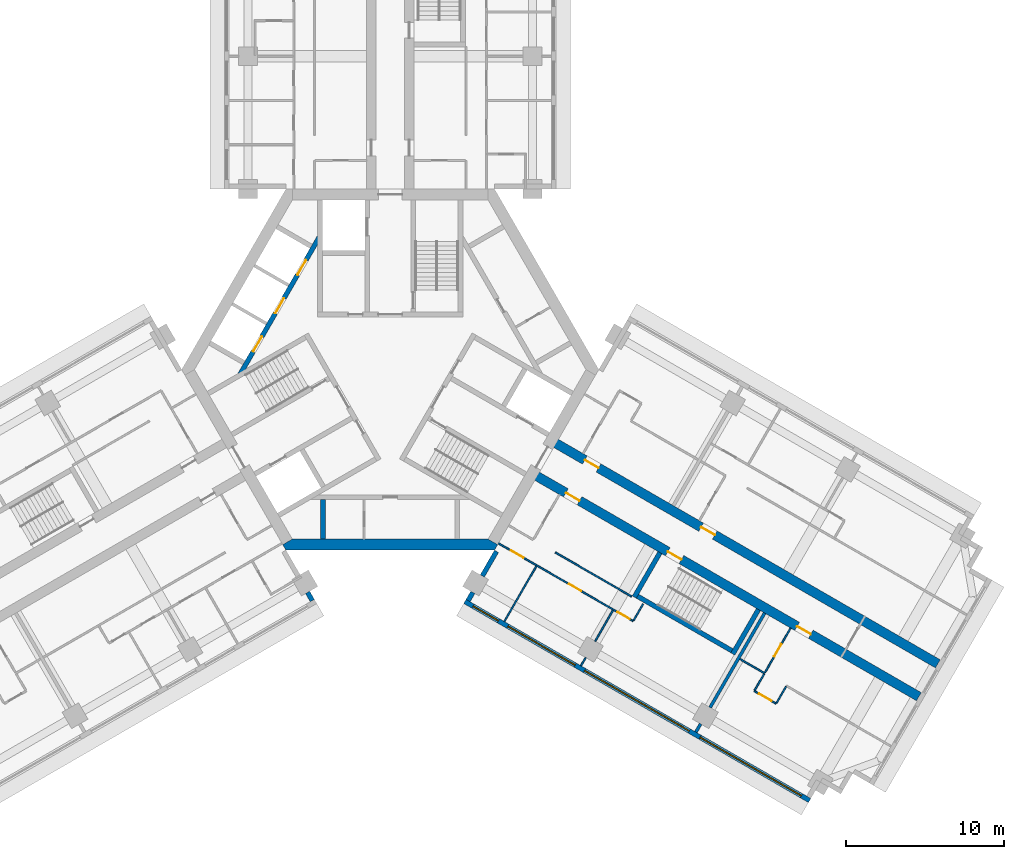
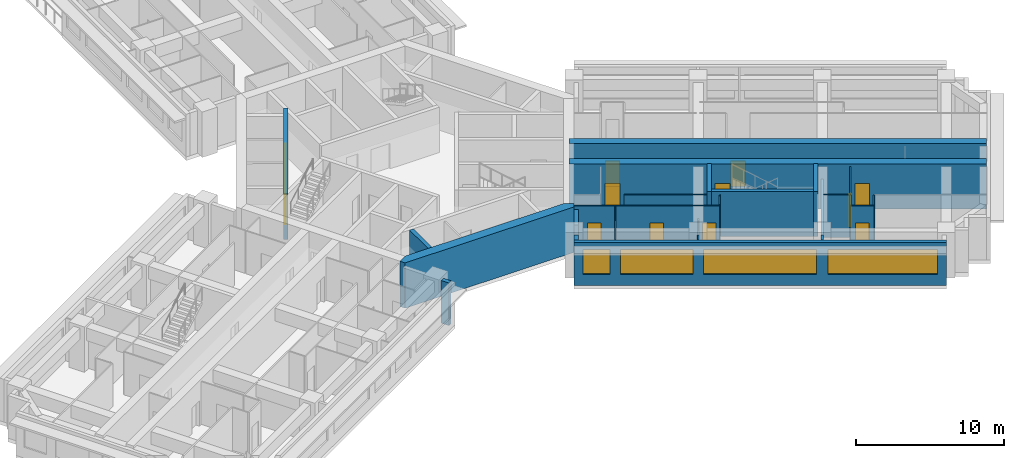
# One storey, part 5 of 12: 25 walls, 13 doors, 4 windows, 17 openings.
"""IFC4 building model written with IfcOpenShell, lengths in metres."""

from ifc_helpers import new_model, si_unit, direction, frame, frame_2d, origin, place, context, subcontext, project, spatial, polyline, rectangle, outline, extrude, material, layer, layer_set, type_object, element, fill, save


model = new_model("IFC4")

# Units and contexts
model_context = context("Model", 3, precision=1e-05, world=origin(), true_north=direction((0.0, 1.0)))
body_context = subcontext(model_context, "Body", "Model", "MODEL_VIEW")
ifc_project = project(units=[si_unit("LENGTHUNIT", "METRE"), si_unit("AREAUNIT", "SQUARE_METRE"), si_unit("VOLUMEUNIT", "CUBIC_METRE"), si_unit("PLANEANGLEUNIT", "RADIAN"), si_unit("MASSUNIT", "GRAM", prefix="KILO")], contexts=[model_context])

# Site, building, storey
site_placement = place(None, origin())
site = spatial("IfcSite", under=ifc_project, at=site_placement, CompositionType="ELEMENT")
building_placement = place(site_placement, origin())
building = spatial("IfcBuilding", under=site, at=building_placement, Name="Impinga Residences", CompositionType="ELEMENT")
storey_placement = place(building_placement, frame((0.0, 0.0, 188.5)))
storey = spatial("IfcBuildingStorey", under=building, at=storey_placement, Name="L46", CompositionType="ELEMENT", Elevation=188.5)

# Wall, openings, doors
ifc_material_1 = material(Name="Concrete C60/75", Category="concrete")
ifc_layer_1 = layer(ifc_material_1, 0.60009765625)
ifc_layer_set_1 = layer_set([ifc_layer_1], Name="Concrete C60/75")
wall_type_1 = type_object("IfcWallType", Name="BW3 corridor buttress wall, L46 to L73 600", PredefinedType="SHEAR", material=ifc_layer_set_1)
wall_1_placement = place(storey_placement, frame((10.19677734375, -4.50146484375, 0.0), z_axis=(0.0, 0.0, 1.0), x_axis=(0.866026415941, -0.499998246889, 0.0)))
wall_1 = element("IfcWall", 1, at=wall_1_placement, inside=storey, type_object=wall_type_1, Name="Corridor wall BW3 EC L46", PredefinedType="SHEAR", context=body_context, shape_type="SweptSolid", body=[
    extrude(rectangle(XDim=28.25, YDim=0.60009765625, at=frame_2d((14.125, 0.0))), origin(), (0.0, 0.0, 1.0), 3.75),
])
opening_1_placement = place(wall_1_placement, frame((2.449951171875, 0.0, 0.0)))
opening_1 = element("IfcOpeningElement", 2, at=opening_1_placement, cuts=wall_1, Name="Opening D1", PredefinedType="OPENING", context=body_context, shape_type="SweptSolid", body=[
    extrude(rectangle(XDim=1.0, YDim=2.10009765625, at=frame_2d((0.5, 1.050048828125))), frame((0.0, 0.31005859375, 0.0), z_axis=(0.0, -1.0, 0.0), x_axis=(1.0, 0.0, 0.0)), (0.0, 0.0, 1.0), 0.6201171875),
])
opening_2_placement = place(wall_1_placement, frame((10.949951171875, 0.0, 0.0)))
opening_2 = element("IfcOpeningElement", 3, at=opening_2_placement, cuts=wall_1, Name="Opening D1", PredefinedType="OPENING", context=body_context, shape_type="SweptSolid", body=[
    extrude(rectangle(XDim=1.0, YDim=2.10009765625, at=frame_2d((0.5, 1.050048828125))), frame((0.0, 0.31005859375, 0.0), z_axis=(0.0, -1.0, 0.0), x_axis=(1.0, 0.0, 0.0)), (0.0, 0.0, 1.0), 0.6201171875),
])
ifc_material_2 = material(Name="Timber door set", Category="wood")
door_type_1 = type_object("IfcDoorType", Name="D1 apartment entrance door 1000x2100", OperationType="SINGLE_SWING_LEFT", PredefinedType="DOOR", material=ifc_material_2)
door_1_placement = place(opening_1_placement, origin())
door_1 = element("IfcDoor", 4, at=door_1_placement, inside=storey, type_object=door_type_1, Name="Apartment L46-EA1 entrance", OperationType="SINGLE_SWING_LEFT", OverallHeight=2.10009765625, OverallWidth=1.0, PredefinedType="DOOR", context=body_context, shape_type="SweptSolid", body=[
    extrude(rectangle(XDim=1.0, YDim=2.10009765625, at=frame_2d((0.5, 1.050048828125))), frame((0.0, 0.02490234375, 0.0), z_axis=(0.0, -1.0, 0.0), x_axis=(1.0, 0.0, 0.0)), (0.0, 0.0, 1.0), 0.050048828125),
])
fill(opening_1, door_1)
door_2_placement = place(opening_2_placement, origin())
door_2 = element("IfcDoor", 5, at=door_2_placement, inside=storey, type_object=door_type_1, Name="Apartment L46-EA2 entrance", OperationType="SINGLE_SWING_LEFT", OverallHeight=2.10009765625, OverallWidth=1.0, PredefinedType="DOOR", context=body_context, shape_type="SweptSolid", body=[
    extrude(rectangle(XDim=1.0, YDim=2.10009765625, at=frame_2d((0.5, 1.050048828125))), frame((0.0, 0.02490234375, 0.0), z_axis=(0.0, -1.0, 0.0), x_axis=(1.0, 0.0, 0.0)), (0.0, 0.0, 1.0), 0.050048828125),
])
fill(opening_2, door_2)

wall_2_placement = place(storey_placement, frame((8.996826171875, -6.580078125, 0.0), z_axis=(0.0, 0.0, 1.0), x_axis=(0.866026415941, -0.499998246889, 0.0)))
wall_2 = element("IfcWall", 6, at=wall_2_placement, inside=storey, type_object=wall_type_1, Name="Corridor wall BW3 ED L46", PredefinedType="SHEAR", context=body_context, shape_type="SweptSolid", body=[
    extrude(rectangle(XDim=28.25, YDim=0.60009765625, at=frame_2d((14.125, 0.0))), origin(), (0.0, 0.0, 1.0), 3.75),
])
opening_3_placement = place(wall_2_placement, frame((9.89990234375, 0.0, 0.0)))
opening_3 = element("IfcOpeningElement", 7, at=opening_3_placement, cuts=wall_2, Name="Opening D5", PredefinedType="OPENING", context=body_context, shape_type="SweptSolid", body=[
    extrude(rectangle(XDim=1.0, YDim=2.10009765625, at=frame_2d((0.5, 1.050048828125))), frame((0.0, 0.31005859375, 0.0), z_axis=(0.0, -1.0, 0.0), x_axis=(1.0, 0.0, 0.0)), (0.0, 0.0, 1.0), 0.6201171875),
])
opening_4_placement = place(wall_2_placement, frame((2.449951171875, 0.0, 0.0)))
opening_4 = element("IfcOpeningElement", 8, at=opening_4_placement, cuts=wall_2, Name="Opening D1", PredefinedType="OPENING", context=body_context, shape_type="SweptSolid", body=[
    extrude(rectangle(XDim=1.0, YDim=2.10009765625, at=frame_2d((0.5, 1.050048828125))), frame((0.0, 0.31005859375, 0.0), z_axis=(0.0, -1.0, 0.0), x_axis=(1.0, 0.0, 0.0)), (0.0, 0.0, 1.0), 0.6201171875),
])
opening_5_placement = place(wall_2_placement, frame((19.35009765625, 0.0, 0.0)))
opening_5 = element("IfcOpeningElement", 9, at=opening_5_placement, cuts=wall_2, Name="Opening D1", PredefinedType="OPENING", context=body_context, shape_type="SweptSolid", body=[
    extrude(rectangle(XDim=1.0, YDim=2.10009765625, at=frame_2d((0.5, 1.050048828125))), frame((0.0, 0.31005859375, 0.0), z_axis=(0.0, -1.0, 0.0), x_axis=(1.0, 0.0, 0.0)), (0.0, 0.0, 1.0), 0.6201171875),
])
door_3_placement = place(opening_4_placement, origin())
door_3 = element("IfcDoor", 10, at=door_3_placement, inside=storey, type_object=door_type_1, Name="Apartment L46-EF1 entrance", OperationType="SINGLE_SWING_LEFT", OverallHeight=2.10009765625, OverallWidth=1.0, PredefinedType="DOOR", context=body_context, shape_type="SweptSolid", body=[
    extrude(rectangle(XDim=1.0, YDim=2.10009765625, at=frame_2d((0.5, 1.050048828125))), frame((0.0, 0.02490234375, 0.0), z_axis=(0.0, -1.0, 0.0), x_axis=(1.0, 0.0, 0.0)), (0.0, 0.0, 1.0), 0.050048828125),
])
fill(opening_4, door_3)
door_4_placement = place(opening_5_placement, origin())
door_4 = element("IfcDoor", 11, at=door_4_placement, inside=storey, type_object=door_type_1, Name="Apartment L46-EF2 entrance", OperationType="SINGLE_SWING_RIGHT", OverallHeight=2.10009765625, OverallWidth=1.0, PredefinedType="DOOR", context=body_context, shape_type="SweptSolid", body=[
    extrude(rectangle(XDim=1.0, YDim=2.10009765625, at=frame_2d((0.5, 1.050048828125))), frame((0.0, 0.02490234375, 0.0), z_axis=(0.0, -1.0, 0.0), x_axis=(1.0, 0.0, 0.0)), (0.0, 0.0, 1.0), 0.050048828125),
])
fill(opening_5, door_4)
door_type_2 = type_object("IfcDoorType", Name="D5 stair door 1000x2100", OperationType="SINGLE_SWING_LEFT", PredefinedType="DOOR", material=ifc_material_2)
door_5_placement = place(opening_3_placement, origin())
door_5 = element("IfcDoor", 12, at=door_5_placement, inside=storey, type_object=door_type_2, Name="Wing stair door E", OperationType="SINGLE_SWING_LEFT", OverallHeight=2.10009765625, OverallWidth=1.0, PredefinedType="DOOR", context=body_context, shape_type="SweptSolid", body=[
    extrude(rectangle(XDim=1.0, YDim=2.10009765625, at=frame_2d((0.5, 1.050048828125))), frame((0.0, 0.02490234375, 0.0), z_axis=(0.0, -1.0, 0.0), x_axis=(1.0, 0.0, 0.0)), (0.0, 0.0, 1.0), 0.050048828125),
])
fill(opening_3, door_5)

# Wall, openings, windows
ifc_material_3 = material(Name="Terracotta rainscreen on blockwork", Category="masonry")
ifc_layer_2 = layer(ifc_material_3, 0.300048828125)
ifc_layer_set_2 = layer_set([ifc_layer_2], Name="EW1 external wall, terracotta rainscreen on blockwork 300")
wall_type_2 = type_object("IfcWallType", Name="EW1 external wall, terracotta rainscreen on blockwork 300", PredefinedType="SOLIDWALL", material=ifc_layer_set_2)
wall_3_placement = place(storey_placement, frame((26.548828125, -27.279052734375, 0.0), z_axis=(0.0, 0.0, 1.0), x_axis=(-0.866026832479, 0.499997525421, 0.0)))
wall_3 = element("IfcWall", 13, at=wall_3_placement, inside=storey, type_object=wall_type_2, Name="External wall EW1 L46", PredefinedType="SOLIDWALL", context=body_context, shape_type="SweptSolid", body=[
    extrude(rectangle(XDim=25.199951171875, YDim=0.300048828125, at=frame_2d((12.60009765625, 0.0))), origin(), (0.0, 0.0, 1.0), 3.530029296875),
])
opening_6_placement = place(wall_3_placement, frame((0.60009765625, 0.0, 0.89990234375)))
opening_6 = element("IfcOpeningElement", 14, at=opening_6_placement, cuts=wall_3, Name="Opening W12", PredefinedType="OPENING", context=body_context, shape_type="SweptSolid", body=[
    extrude(rectangle(XDim=7.39990234375, YDim=2.050048828125, at=frame_2d((3.699951171875, 1.02490234375))), frame((0.0, 0.159912109375, 0.0), z_axis=(0.0, -1.0, 0.0), x_axis=(1.0, 0.0, 0.0)), (0.0, 0.0, 1.0), 0.320068359375),
])
opening_7_placement = place(wall_3_placement, frame((8.800048828125, 0.0, 0.89990234375)))
opening_7 = element("IfcOpeningElement", 15, at=opening_7_placement, cuts=wall_3, Name="Opening W13", PredefinedType="OPENING", context=body_context, shape_type="SweptSolid", body=[
    extrude(rectangle(XDim=7.64990234375, YDim=2.050048828125, at=frame_2d((3.824951171875, 1.02490234375))), frame((0.0, 0.159912109375, 0.0), z_axis=(0.0, -1.0, 0.0), x_axis=(1.0, 0.0, 0.0)), (0.0, 0.0, 1.0), 0.320068359375),
])
opening_8_placement = place(wall_3_placement, frame((17.14990234375, 0.0, 0.89990234375)))
opening_8 = element("IfcOpeningElement", 16, at=opening_8_placement, cuts=wall_3, Name="Opening W16", PredefinedType="OPENING", context=body_context, shape_type="SweptSolid", body=[
    extrude(rectangle(XDim=4.89990234375, YDim=2.050048828125, at=frame_2d((2.449951171875, 1.02490234375))), frame((0.0, 0.159912109375, 0.0), z_axis=(0.0, -1.0, 0.0), x_axis=(1.0, 0.0, 0.0)), (0.0, 0.0, 1.0), 0.320068359375),
])
opening_9_placement = place(wall_3_placement, frame((22.75, 0.0, 0.89990234375)))
opening_9 = element("IfcOpeningElement", 17, at=opening_9_placement, cuts=wall_3, Name="Opening W15", PredefinedType="OPENING", context=body_context, shape_type="SweptSolid", body=[
    extrude(rectangle(XDim=1.85009765625, YDim=2.050048828125, at=frame_2d((0.925048828125, 1.02490234375))), frame((0.0, 0.159912109375, 0.0), z_axis=(0.0, -1.0, 0.0), x_axis=(1.0, 0.0, 0.0)), (0.0, 0.0, 1.0), 0.320068359375),
])
ifc_material_4 = material(Name="Aluminium window, clear double glazing", Category="aluminium")
window_type_1 = type_object("IfcWindowType", Name="W12 ribbon window 7400x2050", PartitioningType="SINGLE_PANEL", PredefinedType="WINDOW", material=ifc_material_4)
window_1_placement = place(opening_6_placement, origin())
window_1 = element("IfcWindow", 18, at=window_1_placement, inside=storey, type_object=window_type_1, Name="Window L46", OverallHeight=2.050048828125, OverallWidth=7.39990234375, PartitioningType="SINGLE_PANEL", PredefinedType="WINDOW", context=body_context, shape_type="SweptSolid", body=[
    extrude(rectangle(XDim=7.39990234375, YDim=2.050048828125, at=frame_2d((3.699951171875, 1.02490234375))), frame((0.0, 0.030029296875, 0.0), z_axis=(0.0, -1.0, 0.0), x_axis=(1.0, 0.0, 0.0)), (0.0, 0.0, 1.0), 0.06005859375),
])
fill(opening_6, window_1)
window_type_2 = type_object("IfcWindowType", Name="W13 ribbon window 7650x2050", PartitioningType="SINGLE_PANEL", PredefinedType="WINDOW", material=ifc_material_4)
window_2_placement = place(opening_7_placement, origin())
window_2 = element("IfcWindow", 19, at=window_2_placement, inside=storey, type_object=window_type_2, Name="Window L46", OverallHeight=2.050048828125, OverallWidth=7.64990234375, PartitioningType="SINGLE_PANEL", PredefinedType="WINDOW", context=body_context, shape_type="SweptSolid", body=[
    extrude(rectangle(XDim=7.64990234375, YDim=2.050048828125, at=frame_2d((3.824951171875, 1.02490234375))), frame((0.0, 0.030029296875, 0.0), z_axis=(0.0, -1.0, 0.0), x_axis=(1.0, 0.0, 0.0)), (0.0, 0.0, 1.0), 0.06005859375),
])
fill(opening_7, window_2)
window_type_3 = type_object("IfcWindowType", Name="W15 ribbon window 1850x2050", PartitioningType="SINGLE_PANEL", PredefinedType="WINDOW", material=ifc_material_4)
window_3_placement = place(opening_9_placement, origin())
window_3 = element("IfcWindow", 20, at=window_3_placement, inside=storey, type_object=window_type_3, Name="Window L46", OverallHeight=2.050048828125, OverallWidth=1.85009765625, PartitioningType="SINGLE_PANEL", PredefinedType="WINDOW", context=body_context, shape_type="SweptSolid", body=[
    extrude(rectangle(XDim=1.85009765625, YDim=2.050048828125, at=frame_2d((0.925048828125, 1.02490234375))), frame((0.0, 0.030029296875, 0.0), z_axis=(0.0, -1.0, 0.0), x_axis=(1.0, 0.0, 0.0)), (0.0, 0.0, 1.0), 0.06005859375),
])
fill(opening_9, window_3)
window_type_4 = type_object("IfcWindowType", Name="W16 ribbon window 4900x2050", PartitioningType="SINGLE_PANEL", PredefinedType="WINDOW", material=ifc_material_4)
window_4_placement = place(opening_8_placement, origin())
window_4 = element("IfcWindow", 21, at=window_4_placement, inside=storey, type_object=window_type_4, Name="Window L46", OverallHeight=2.050048828125, OverallWidth=4.89990234375, PartitioningType="SINGLE_PANEL", PredefinedType="WINDOW", context=body_context, shape_type="SweptSolid", body=[
    extrude(rectangle(XDim=4.89990234375, YDim=2.050048828125, at=frame_2d((2.449951171875, 1.02490234375))), frame((0.0, 0.030029296875, 0.0), z_axis=(0.0, -1.0, 0.0), x_axis=(1.0, 0.0, 0.0)), (0.0, 0.0, 1.0), 0.06005859375),
])
fill(opening_8, window_4)

# Walls
wall_4_placement = place(storey_placement, frame((4.929931640625, -14.624267578125, 0.0), z_axis=(0.0, 0.0, 1.0), x_axis=(0.499945471869, 0.866056883327, 0.0)))
element("IfcWall", 22, at=wall_4_placement, inside=storey, type_object=wall_type_2, Name="External wall EW1 L46", PredefinedType="SOLIDWALL", context=body_context, shape_type="SweptSolid", body=[
    extrude(rectangle(XDim=0.60009765625, YDim=0.300048828125, at=frame_2d((0.300048828125, 0.0))), origin(), (0.0, 0.0, 1.0), 3.530029296875),
])
wall_5_placement = place(storey_placement, frame((5.829833984375, -13.0654296875, 0.0), z_axis=(0.0, 0.0, 1.0), x_axis=(0.500062916607, 0.865989075817, 0.0)))
element("IfcWall", 23, at=wall_5_placement, inside=storey, type_object=wall_type_2, Name="External wall EW1 L46", PredefinedType="SOLIDWALL", context=body_context, shape_type="SweptSolid", body=[
    extrude(rectangle(XDim=1.800048828125, YDim=0.300048828125, at=frame_2d((0.89990234375, 0.0))), origin(), (0.0, 0.0, 1.0), 3.530029296875),
])
wall_6_placement = place(storey_placement, frame((-5.22998046875, -14.1044921875, 0.0), z_axis=(0.0, 0.0, 1.0), x_axis=(0.499945471869, -0.866056883327, 0.0)))
element("IfcWall", 24, at=wall_6_placement, inside=storey, type_object=wall_type_2, Name="External wall EW1 L46", PredefinedType="SOLIDWALL", context=body_context, shape_type="SweptSolid", body=[
    extrude(rectangle(XDim=0.60009765625, YDim=0.300048828125, at=frame_2d((0.300048828125, 0.0))), origin(), (0.0, 0.0, 1.0), 3.530029296875),
])
ifc_material_5 = material(Name="Gypsum board on steel studs", Category="steel")
ifc_layer_3 = layer(ifc_material_5, 0.10009765625)
ifc_layer_set_3 = layer_set([ifc_layer_3], Name="Gypsum board on steel studs")
wall_type_3 = type_object("IfcWallType", Name="IP1 partition 100", PredefinedType="PARTITIONING", material=ifc_layer_set_3)
wall_7_placement = place(storey_placement, frame((10.444580078125, -11.57275390625, 0.0), z_axis=(0.0, 0.0, 1.0), x_axis=(0.866015695474, -0.500016814911, 0.0)))
element("IfcWall", 25, at=wall_7_placement, inside=storey, type_object=wall_type_3, Name="Partition L46-EF1:DIV1", PredefinedType="PARTITIONING", context=body_context, shape_type="SweptSolid", body=[
    extrude(rectangle(XDim=5.599853515625, YDim=0.10009765625, at=frame_2d((2.7998046875, 0.0))), origin(), (0.0, 0.0, 1.0), 3.530029296875),
])

# Wall, openings, doors
wall_8_placement = place(storey_placement, frame((6.85009765625, -10.99853515625, 0.0), z_axis=(0.0, 0.0, 1.0), x_axis=(0.866021308241, -0.500007093622, 0.0)))
wall_8 = element("IfcWall", 26, at=wall_8_placement, inside=storey, type_object=wall_type_3, Name="Partition L46-EF1:STRIP", PredefinedType="PARTITIONING", context=body_context, shape_type="SweptSolid", body=[
    extrude(rectangle(XDim=9.849853515625, YDim=0.10009765625, at=frame_2d((4.9248046875, 0.0))), origin(), (0.0, 0.0, 1.0), 3.530029296875),
])
opening_10_placement = place(wall_8_placement, frame((0.925048828125, 0.0, 0.0)))
opening_10 = element("IfcOpeningElement", 27, at=opening_10_placement, cuts=wall_8, Name="Opening D2", PredefinedType="OPENING", context=body_context, shape_type="SweptSolid", body=[
    extrude(rectangle(XDim=0.89990234375, YDim=2.10009765625, at=frame_2d((0.449951171875, 1.050048828125))), frame((0.0, 0.06005859375, 0.0), z_axis=(0.0, -1.0, 0.0), x_axis=(1.0, 0.0, 0.0)), (0.0, 0.0, 1.0), 0.1201171875),
])
opening_11_placement = place(wall_8_placement, frame((5.14990234375, 0.0, 0.0)))
opening_11 = element("IfcOpeningElement", 28, at=opening_11_placement, cuts=wall_8, Name="Opening D2", PredefinedType="OPENING", context=body_context, shape_type="SweptSolid", body=[
    extrude(rectangle(XDim=0.89990234375, YDim=2.10009765625, at=frame_2d((0.449951171875, 1.050048828125))), frame((0.0, 0.06005859375, 0.0), z_axis=(0.0, -1.0, 0.0), x_axis=(1.0, 0.0, 0.0)), (0.0, 0.0, 1.0), 0.1201171875),
])
opening_12_placement = place(wall_8_placement, frame((8.699951171875, 0.0, 0.0)))
opening_12 = element("IfcOpeningElement", 29, at=opening_12_placement, cuts=wall_8, Name="Opening D2", PredefinedType="OPENING", context=body_context, shape_type="SweptSolid", body=[
    extrude(rectangle(XDim=0.89990234375, YDim=2.10009765625, at=frame_2d((0.449951171875, 1.050048828125))), frame((0.0, 0.06005859375, 0.0), z_axis=(0.0, -1.0, 0.0), x_axis=(1.0, 0.0, 0.0)), (0.0, 0.0, 1.0), 0.1201171875),
])
door_type_3 = type_object("IfcDoorType", Name="D2 internal door 900x2100", OperationType="SINGLE_SWING_LEFT", PredefinedType="DOOR", material=ifc_material_2)
door_6_placement = place(opening_10_placement, origin())
door_6 = element("IfcDoor", 30, at=door_6_placement, inside=storey, type_object=door_type_3, Name="Apartment L46-EF1 room door", OperationType="SINGLE_SWING_LEFT", OverallHeight=2.10009765625, OverallWidth=0.89990234375, PredefinedType="DOOR", context=body_context, shape_type="SweptSolid", body=[
    extrude(rectangle(XDim=0.89990234375, YDim=2.10009765625, at=frame_2d((0.449951171875, 1.050048828125))), frame((0.0, 0.02490234375, 0.0), z_axis=(0.0, -1.0, 0.0), x_axis=(1.0, 0.0, 0.0)), (0.0, 0.0, 1.0), 0.050048828125),
])
fill(opening_10, door_6)
door_7_placement = place(opening_11_placement, origin())
door_7 = element("IfcDoor", 31, at=door_7_placement, inside=storey, type_object=door_type_3, Name="Apartment L46-EF1 room door", OperationType="SINGLE_SWING_RIGHT", OverallHeight=2.10009765625, OverallWidth=0.89990234375, PredefinedType="DOOR", context=body_context, shape_type="SweptSolid", body=[
    extrude(rectangle(XDim=0.89990234375, YDim=2.10009765625, at=frame_2d((0.449951171875, 1.050048828125))), frame((0.0, 0.02490234375, 0.0), z_axis=(0.0, -1.0, 0.0), x_axis=(1.0, 0.0, 0.0)), (0.0, 0.0, 1.0), 0.050048828125),
])
fill(opening_11, door_7)
door_8_placement = place(opening_12_placement, origin())
door_8 = element("IfcDoor", 32, at=door_8_placement, inside=storey, type_object=door_type_3, Name="Apartment L46-EF1 room door", OperationType="SINGLE_SWING_RIGHT", OverallHeight=2.10009765625, OverallWidth=0.89990234375, PredefinedType="DOOR", context=body_context, shape_type="SweptSolid", body=[
    extrude(rectangle(XDim=0.89990234375, YDim=2.10009765625, at=frame_2d((0.449951171875, 1.050048828125))), frame((0.0, 0.02490234375, 0.0), z_axis=(0.0, -1.0, 0.0), x_axis=(1.0, 0.0, 0.0)), (0.0, 0.0, 1.0), 0.050048828125),
])
fill(opening_12, door_8)

# Walls
wall_9_placement = place(storey_placement, frame((16.00537109375, -14.841064453125, 0.0), z_axis=(0.0, 0.0, 1.0), x_axis=(-0.50012165622, -0.865955154139, 0.0)))
element("IfcWall", 33, at=wall_9_placement, inside=storey, type_object=wall_type_3, Name="Partition L46-EF1:SE1", PredefinedType="PARTITIONING", context=body_context, shape_type="SweptSolid", body=[
    extrude(rectangle(XDim=1.199951171875, YDim=0.10009765625, at=frame_2d((0.60009765625, 0.0))), origin(), (0.0, 0.0, 1.0), 3.530029296875),
])
wall_10_placement = place(storey_placement, frame((9.249755859375, -12.44189453125, 0.0), z_axis=(0.0, 0.0, 1.0), x_axis=(-0.499990325971, -0.866030989016, 0.0)))
element("IfcWall", 34, at=wall_10_placement, inside=storey, type_object=wall_type_3, Name="Partition L46-EF1:OB1", PredefinedType="PARTITIONING", context=body_context, shape_type="SweptSolid", body=[
    extrude(rectangle(XDim=4.0498046875, YDim=0.10009765625, at=frame_2d((2.02490234375, 0.0))), origin(), (0.0, 0.0, 1.0), 3.530029296875),
])
wall_11_placement = place(storey_placement, frame((14.099609375, -15.241943359375, 0.0), z_axis=(0.0, 0.0, 1.0), x_axis=(-0.500013631625, -0.866017533419, 0.0)))
element("IfcWall", 35, at=wall_11_placement, inside=storey, type_object=wall_type_3, Name="Partition L46-EF1:OB2", PredefinedType="PARTITIONING", context=body_context, shape_type="SweptSolid", body=[
    extrude(rectangle(XDim=2.25, YDim=0.10009765625, at=frame_2d((1.125, 0.0))), origin(), (0.0, 0.0, 1.0), 2.47998046875),
])
wall_12_placement = place(storey_placement, frame((12.37451171875, -18.2294921875, 0.0), z_axis=(0.0, 0.0, 1.0), x_axis=(-0.499640263761, -0.866232998003, 0.0)))
element("IfcWall", 36, at=wall_12_placement, inside=storey, type_object=wall_type_3, Name="Partition L46-EF1:OB2b", PredefinedType="PARTITIONING", context=body_context, shape_type="SweptSolid", body=[
    extrude(rectangle(XDim=0.60009765625, YDim=0.10009765625, at=frame_2d((0.300048828125, 0.0))), origin(), (0.0, 0.0, 1.0), 3.530029296875),
])
wall_13_placement = place(storey_placement, frame((22.1357421875, -18.32275390625, 0.0), z_axis=(0.0, 0.0, 1.0), x_axis=(0.866047807691, -0.499961193289, 0.0)))
element("IfcWall", 37, at=wall_13_placement, inside=storey, type_object=wall_type_3, Name="Partition L46-EF2:DIV0", PredefinedType="PARTITIONING", context=body_context, shape_type="SweptSolid", body=[
    extrude(rectangle(XDim=1.800048828125, YDim=0.10009765625, at=frame_2d((0.89990234375, 0.0))), origin(), (0.0, 0.0, 1.0), 3.530029296875),
])

# Wall, opening, door
wall_14_placement = place(storey_placement, frame((23.044677734375, -20.3486328125, 0.0), z_axis=(0.0, 0.0, 1.0), x_axis=(0.866094119867, -0.499880961361, 0.0)))
wall_14 = element("IfcWall", 38, at=wall_14_placement, inside=storey, type_object=wall_type_3, Name="Partition L46-EF2:STRIP", PredefinedType="PARTITIONING", context=body_context, shape_type="SweptSolid", body=[
    extrude(rectangle(XDim=1.60009765625, YDim=0.10009765625, at=frame_2d((0.800048828125, 0.0))), origin(), (0.0, 0.0, 1.0), 3.530029296875),
])
opening_13_placement = place(wall_14_placement, frame((0.35009765625, 0.0, 0.0)))
opening_13 = element("IfcOpeningElement", 39, at=opening_13_placement, cuts=wall_14, Name="Opening D2", PredefinedType="OPENING", context=body_context, shape_type="SweptSolid", body=[
    extrude(rectangle(XDim=0.89990234375, YDim=2.10009765625, at=frame_2d((0.449951171875, 1.050048828125))), frame((0.0, 0.06005859375, 0.0), z_axis=(0.0, -1.0, 0.0), x_axis=(1.0, 0.0, 0.0)), (0.0, 0.0, 1.0), 0.1201171875),
])
door_9_placement = place(opening_13_placement, origin())
door_9 = element("IfcDoor", 40, at=door_9_placement, inside=storey, type_object=door_type_3, Name="Apartment L46-EF2 room door", OperationType="SINGLE_SWING_LEFT", OverallHeight=2.10009765625, OverallWidth=0.89990234375, PredefinedType="DOOR", context=body_context, shape_type="SweptSolid", body=[
    extrude(rectangle(XDim=0.89990234375, YDim=2.10009765625, at=frame_2d((0.449951171875, 1.050048828125))), frame((0.0, 0.02490234375, 0.0), z_axis=(0.0, -1.0, 0.0), x_axis=(1.0, 0.0, 0.0)), (0.0, 0.0, 1.0), 0.050048828125),
])
fill(opening_13, door_9)

# Walls
for number, where, z_axis, x_axis, name in (
    (41, (23.669677734375, -19.265869140625, 0.0), (0.0, 0.0, 1.0), (-0.500033551112, -0.866006032174, 0.0), "Partition L46-EF2:SE0"),
    (42, (25.055419921875, -20.06591796875, 0.0), (0.0, 0.0, 1.0), (-0.500033551112, -0.866006032174, 0.0), "Partition L46-EF2:SE1"),
):
    element("IfcWall", number, at=place(storey_placement, frame(where, z_axis=z_axis, x_axis=x_axis)), inside=storey, type_object=wall_type_3, Name=name, PredefinedType="PARTITIONING", context=body_context, shape_type="SweptSolid", body=[
        extrude(rectangle(XDim=1.2001953125, YDim=0.10009765625, at=frame_2d((0.60009765625, 0.0))), origin(), (0.0, 0.0, 1.0), 3.530029296875),
    ])

# Wall, opening, door
wall_15_placement = place(storey_placement, frame((25.3447265625, -16.36474609375, 0.0), z_axis=(0.0, 0.0, 1.0), x_axis=(-0.499984717929, -0.866034226713, 0.0)))
wall_15 = element("IfcWall", 43, at=wall_15_placement, inside=storey, type_object=wall_type_3, Name="Partition L46-EF2:IB1", PredefinedType="PARTITIONING", context=body_context, shape_type="SweptSolid", body=[
    extrude(rectangle(XDim=3.25, YDim=0.10009765625, at=frame_2d((1.625, 0.0))), origin(), (0.0, 0.0, 1.0), 3.530029296875),
])
opening_14_placement = place(wall_15_placement, frame((1.175048828125, 0.0, 0.0)))
opening_14 = element("IfcOpeningElement", 44, at=opening_14_placement, cuts=wall_15, Name="Opening D2", PredefinedType="OPENING", context=body_context, shape_type="SweptSolid", body=[
    extrude(rectangle(XDim=0.89990234375, YDim=2.10009765625, at=frame_2d((0.449951171875, 1.050048828125))), frame((0.0, 0.06005859375, 0.0), z_axis=(0.0, -1.0, 0.0), x_axis=(1.0, 0.0, 0.0)), (0.0, 0.0, 1.0), 0.1201171875),
])
door_10_placement = place(opening_14_placement, origin())
door_10 = element("IfcDoor", 45, at=door_10_placement, inside=storey, type_object=door_type_3, Name="Apartment L46-EF2 bathroom door", OperationType="SINGLE_SWING_LEFT", OverallHeight=2.10009765625, OverallWidth=0.89990234375, PredefinedType="DOOR", context=body_context, shape_type="SweptSolid", body=[
    extrude(rectangle(XDim=0.89990234375, YDim=2.10009765625, at=frame_2d((0.449951171875, 1.050048828125))), frame((0.0, 0.02490234375, 0.0), z_axis=(0.0, -1.0, 0.0), x_axis=(1.0, 0.0, 0.0)), (0.0, 0.0, 1.0), 0.050048828125),
])
fill(opening_14, door_10)

# Walls
ifc_material_6 = material(Name="Concrete blockwork", Category="masonry")
ifc_layer_4 = layer(ifc_material_6, 0.199951171875)
ifc_layer_set_4 = layer_set([ifc_layer_4], Name="PW1 party wall between apartments 200")
wall_type_4 = type_object("IfcWallType", Name="PW1 party wall between apartments 200", PredefinedType="SOLIDWALL", material=ifc_layer_set_4)
wall_16_placement = place(storey_placement, frame((23.69921875, -15.414794921875, 0.0), z_axis=(0.0, 0.0, 1.0), x_axis=(-0.499994024137, -0.866028853923, 0.0)))
element("IfcWall", 46, at=wall_16_placement, inside=storey, type_object=wall_type_4, Name="Party wall between apartments L46-EF1:PARTY", PredefinedType="SOLIDWALL", context=body_context, shape_type="SweptSolid", body=[
    extrude(rectangle(XDim=6.89990234375, YDim=0.199951171875, at=frame_2d((3.449951171875, 0.0))), origin(), (0.0, 0.0, 1.0), 2.47998046875),
])
wall_17_placement = place(storey_placement, frame((19.649169921875, -22.4296875, 0.0), z_axis=(0.0, 0.0, 1.0), x_axis=(-0.50012165622, -0.865955154139, 0.0)))
element("IfcWall", 47, at=wall_17_placement, inside=storey, type_object=wall_type_4, Name="Party wall between apartments L46-EF1:PARTYb", PredefinedType="SOLIDWALL", context=body_context, shape_type="SweptSolid", body=[
    extrude(rectangle(XDim=0.599853515625, YDim=0.199951171875, at=frame_2d((0.2998046875, 0.0))), origin(), (0.0, 0.0, 1.0), 3.530029296875),
])
ifc_layer_5 = layer(ifc_material_1, 0.300048828125)
ifc_layer_set_5 = layer_set([ifc_layer_5], Name="Concrete C60/75")
wall_type_5 = type_object("IfcWallType", Name="SE1 wing stair enclosure wall 300", PredefinedType="SOLIDWALL", material=ifc_layer_set_5)
for number, where, z_axis, x_axis, name in (
    (48, (17.07421875, -11.58984375, 0.0), (0.0, 0.0, 1.0), (-0.500017246033, -0.866015446554, 0.0), "Stair enclosure wall SE1 E END0 L46"),
    (49, (23.3095703125, -15.189697265625, 0.0), (0.0, 0.0, 1.0), (-0.499984717929, -0.866034226713, 0.0), "Stair enclosure wall SE1 E END1 L46"),
):
    element("IfcWall", number, at=place(storey_placement, frame(where, z_axis=z_axis, x_axis=x_axis)), inside=storey, type_object=wall_type_5, Name=name, PredefinedType="SOLIDWALL", context=body_context, shape_type="SweptSolid", body=[
        extrude(rectangle(XDim=3.25, YDim=0.300048828125, at=frame_2d((1.625, 0.0))), origin(), (0.0, 0.0, 1.0), 3.75),
    ])
wall_18_placement = place(storey_placement, frame((15.654052734375, -14.349365234375, 0.0), z_axis=(0.0, 0.0, 1.0), x_axis=(0.866013532718, -0.500020560727, 0.0)))
element("IfcWall", 50, at=wall_18_placement, inside=storey, type_object=wall_type_5, Name="Stair enclosure wall SE1 E OUT L46", PredefinedType="SOLIDWALL", context=body_context, shape_type="SweptSolid", body=[
    extrude(rectangle(XDim=6.900146484375, YDim=0.300048828125, at=frame_2d((3.4501953125, 0.0))), origin(), (0.0, 0.0, 1.0), 3.75),
])
ifc_layer_6 = layer(ifc_material_1, 0.699951171875)
ifc_layer_set_6 = layer_set([ifc_layer_6], Name="Concrete C60/75")
wall_type_6 = type_object("IfcWallType", Name="SW3 core wall 700", PredefinedType="SHEAR", material=ifc_layer_set_6)
wall_19_placement = place(storey_placement, origin())
element("IfcWall", 51, at=wall_19_placement, inside=storey, type_object=wall_type_6, Name="Core wall SW3 N:EXPOSED L46", PredefinedType="SHEAR", context=body_context, shape_type="SweptSolid", body=[
    extrude(outline(polyline([(-6.60009765625, -11.431640625), (6.60009765625, -11.431640625), (6.802001953125, -11.08154296875), (6.19580078125, -10.7314453125), (-6.19580078125, -10.7314453125), (-6.802001953125, -11.08154296875), (-6.60009765625, -11.431640625)])), origin(), (0.0, 0.0, 1.0), 3.75),
])
ifc_material_7 = material(Name="Concrete C70/85", Category="concrete")
ifc_layer_7 = layer(ifc_material_7, 0.300048828125)
ifc_layer_set_7 = layer_set([ifc_layer_7], Name="Concrete C70/85")
wall_type_7 = type_object("IfcWallType", Name="SW5 core inner wall, stairs, shafts and lobbies 300", PredefinedType="SHEAR", material=ifc_layer_set_7)
wall_20_placement = place(storey_placement, frame((-4.25, -8.2314453125, 0.0), z_axis=(0.0, 0.0, 1.0), x_axis=(0.0, -1.0, 0.0)))
element("IfcWall", 52, at=wall_20_placement, inside=storey, type_object=wall_type_7, Name="Core wall SW5 N:BANK-R L46", PredefinedType="SHEAR", context=body_context, shape_type="SweptSolid", body=[
    extrude(rectangle(XDim=2.5, YDim=0.300048828125, at=frame_2d((1.25, 0.0))), origin(), (0.0, 0.0, 1.0), 3.75),
])

# Wall, openings, doors
wall_21_placement = place(storey_placement, frame((-9.547607421875, -0.3740234375, 0.0), z_axis=(0.0, 0.0, 1.0), x_axis=(0.500002290144, 0.866024081565, 0.0)))
wall_21 = element("IfcWall", 53, at=wall_21_placement, inside=storey, type_object=wall_type_7, Name="Core wall SW5 E:BANK-FRONT L46", PredefinedType="SHEAR", context=body_context, shape_type="SweptSolid", body=[
    extrude(rectangle(XDim=10.1953125, YDim=0.300048828125, at=frame_2d((5.09765625, 0.0))), origin(), (0.0, 0.0, 1.0), 3.75),
])
opening_15_placement = place(wall_21_placement, frame((1.74755859375, 0.0, 0.0)))
opening_15 = element("IfcOpeningElement", 54, at=opening_15_placement, cuts=wall_21, Name="Opening LD1", PredefinedType="OPENING", context=body_context, shape_type="SweptSolid", body=[
    extrude(rectangle(XDim=1.10009765625, YDim=2.10009765625, at=frame_2d((0.550048828125, 1.050048828125))), frame((0.0, 0.159912109375, 0.0), z_axis=(0.0, -1.0, 0.0), x_axis=(1.0, 0.0, 0.0)), (0.0, 0.0, 1.0), 0.320068359375),
])
opening_16_placement = place(wall_21_placement, frame((4.547607421875, 0.0, 0.0)))
opening_16 = element("IfcOpeningElement", 55, at=opening_16_placement, cuts=wall_21, Name="Opening LD1", PredefinedType="OPENING", context=body_context, shape_type="SweptSolid", body=[
    extrude(rectangle(XDim=1.10009765625, YDim=2.10009765625, at=frame_2d((0.550048828125, 1.050048828125))), frame((0.0, 0.159912109375, 0.0), z_axis=(0.0, -1.0, 0.0), x_axis=(1.0, 0.0, 0.0)), (0.0, 0.0, 1.0), 0.320068359375),
])
opening_17_placement = place(wall_21_placement, frame((7.34765625, 0.0, 0.0)))
opening_17 = element("IfcOpeningElement", 56, at=opening_17_placement, cuts=wall_21, Name="Opening LD1", PredefinedType="OPENING", context=body_context, shape_type="SweptSolid", body=[
    extrude(rectangle(XDim=1.10009765625, YDim=2.10009765625, at=frame_2d((0.550048828125, 1.050048828125))), frame((0.0, 0.159912109375, 0.0), z_axis=(0.0, -1.0, 0.0), x_axis=(1.0, 0.0, 0.0)), (0.0, 0.0, 1.0), 0.320068359375),
])
ifc_material_8 = material(Name="Steel lift landing door", Category="steel")
door_type_4 = type_object("IfcDoorType", Name="LD1 passenger lift landing door 1100x2100", OperationType="DOUBLE_DOOR_SLIDING", PredefinedType="DOOR", material=ifc_material_8)
door_11_placement = place(opening_15_placement, origin())
door_11 = element("IfcDoor", 57, at=door_11_placement, inside=storey, type_object=door_type_4, Name="Lift landing door P7", OperationType="DOUBLE_DOOR_SLIDING", OverallHeight=2.10009765625, OverallWidth=1.10009765625, PredefinedType="DOOR", context=body_context, shape_type="SweptSolid", body=[
    extrude(rectangle(XDim=1.10009765625, YDim=2.10009765625, at=frame_2d((0.550048828125, 1.050048828125))), frame((0.0, 0.02490234375, 0.0), z_axis=(0.0, -1.0, 0.0), x_axis=(1.0, 0.0, 0.0)), (0.0, 0.0, 1.0), 0.050048828125),
])
fill(opening_15, door_11)
door_12_placement = place(opening_16_placement, origin())
door_12 = element("IfcDoor", 58, at=door_12_placement, inside=storey, type_object=door_type_4, Name="Lift landing door P8", OperationType="DOUBLE_DOOR_SLIDING", OverallHeight=2.10009765625, OverallWidth=1.10009765625, PredefinedType="DOOR", context=body_context, shape_type="SweptSolid", body=[
    extrude(rectangle(XDim=1.10009765625, YDim=2.10009765625, at=frame_2d((0.550048828125, 1.050048828125))), frame((0.0, 0.02490234375, 0.0), z_axis=(0.0, -1.0, 0.0), x_axis=(1.0, 0.0, 0.0)), (0.0, 0.0, 1.0), 0.050048828125),
])
fill(opening_16, door_12)
door_13_placement = place(opening_17_placement, origin())
door_13 = element("IfcDoor", 59, at=door_13_placement, inside=storey, type_object=door_type_4, Name="Lift landing door P9", OperationType="DOUBLE_DOOR_SLIDING", OverallHeight=2.10009765625, OverallWidth=1.10009765625, PredefinedType="DOOR", context=body_context, shape_type="SweptSolid", body=[
    extrude(rectangle(XDim=1.10009765625, YDim=2.10009765625, at=frame_2d((0.550048828125, 1.050048828125))), frame((0.0, 0.02490234375, 0.0), z_axis=(0.0, -1.0, 0.0), x_axis=(1.0, 0.0, 0.0)), (0.0, 0.0, 1.0), 0.050048828125),
])
fill(opening_17, door_13)

save(model, "model.ifc")
